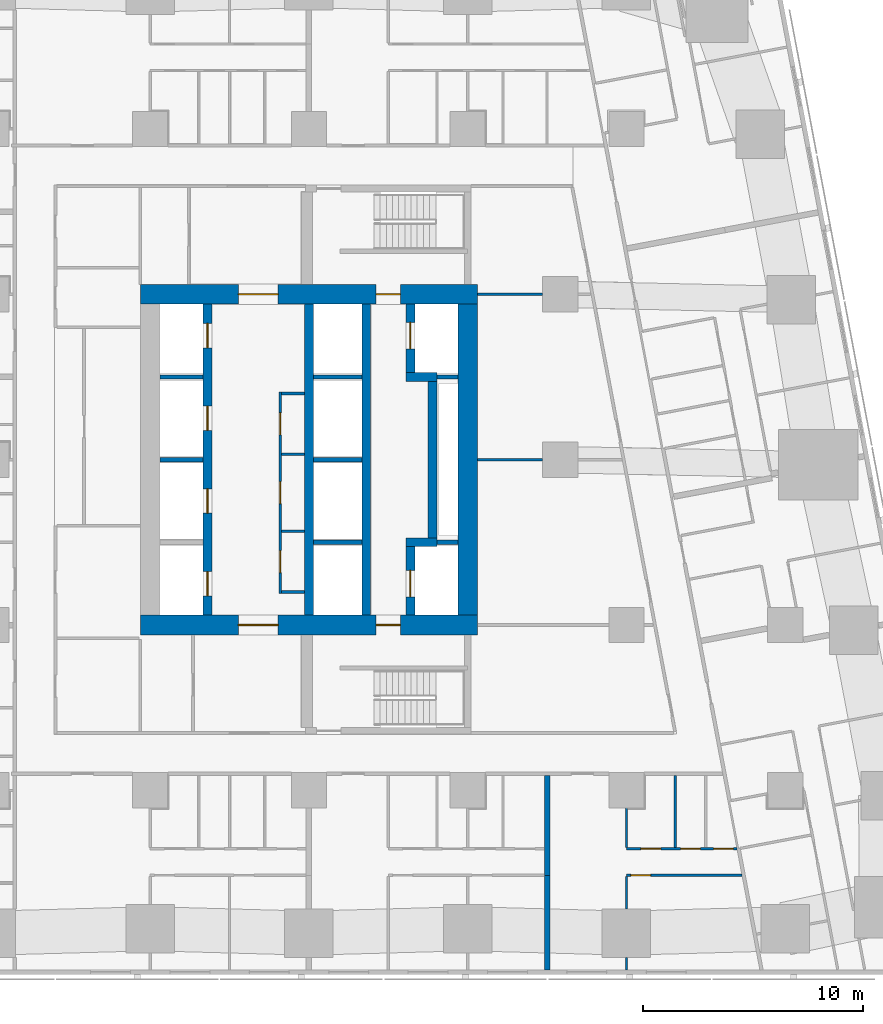
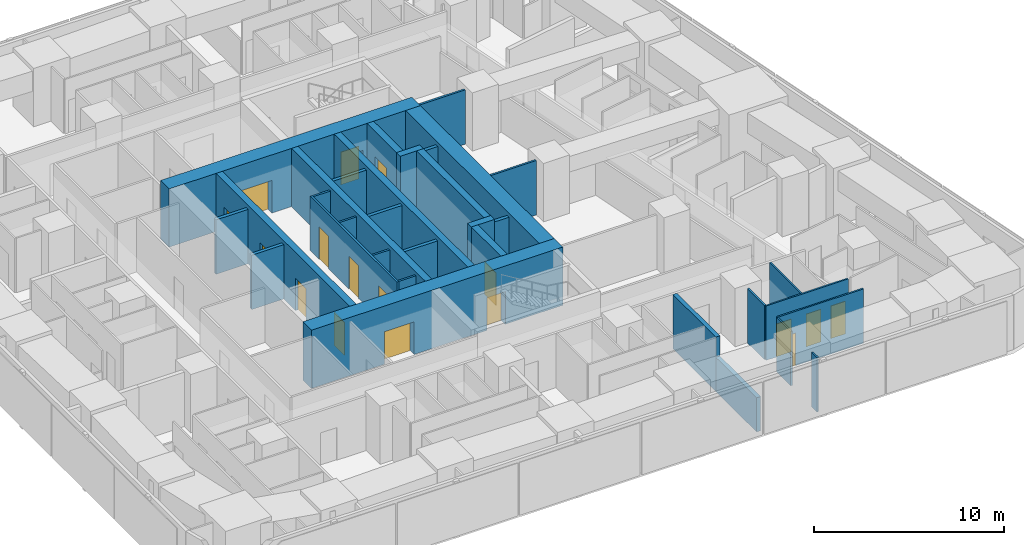
# One storey, part 5 of 15: 33 walls, 17 doors, 17 openings.
"""IFC4 building model written with IfcOpenShell, lengths in metres."""

from ifc_helpers import new_model, si_unit, direction, frame, frame_2d, origin, place, context, subcontext, project, spatial, rectangle, extrude, material, layer, layer_set, type_object, element, fill, save


model = new_model("IFC4")

# Units and contexts
model_context = context("Model", 3, precision=1e-05, world=origin(), true_north=direction((0.0, 1.0)))
body_context = subcontext(model_context, "Body", "Model", "MODEL_VIEW")
ifc_project = project(units=[si_unit("LENGTHUNIT", "METRE"), si_unit("AREAUNIT", "SQUARE_METRE"), si_unit("VOLUMEUNIT", "CUBIC_METRE"), si_unit("PLANEANGLEUNIT", "RADIAN"), si_unit("MASSUNIT", "GRAM", prefix="KILO")], contexts=[model_context])

# Site, building, storey
site_placement = place(None, origin())
site = spatial("IfcSite", under=ifc_project, at=site_placement, CompositionType="ELEMENT")
building_placement = place(site_placement, origin())
building = spatial("IfcBuilding", under=site, at=building_placement, Name="Sheger Commons Tower", CompositionType="ELEMENT")
storey_placement = place(building_placement, frame((0.0, 0.0, 104.14990234375)))
storey = spatial("IfcBuildingStorey", under=building, at=storey_placement, Name="L26", CompositionType="ELEMENT", Elevation=104.14990234375)

# Wall, openings, doors
ifc_material_1 = material(Name="Concrete C50/60", Category="concrete")
ifc_layer_1 = layer(ifc_material_1, 0.39990234375)
ifc_layer_set_1 = layer_set([ifc_layer_1], Name="CORE INNER WALL 400")
wall_type_1 = type_object("IfcWallType", Name="CORE INNER WALL 400", PredefinedType="SHEAR", material=ifc_layer_set_1)
wall_1_placement = place(storey_placement, frame((17.0, 15.449951171875, 0.0), z_axis=(0.0, 0.0, 1.0), x_axis=(0.0, 1.0, 0.0)))
wall_1 = element("IfcWall", 1, at=wall_1_placement, inside=storey, type_object=wall_type_1, Name="Core inner wall A L26", PredefinedType="SHEAR", context=body_context, shape_type="SweptSolid", body=[
    extrude(rectangle(XDim=14.10009765625, YDim=0.39990234375, at=frame_2d((7.050048828125, 0.0))), origin(), (0.0, 0.0, 1.0), 3.75),
])
opening_1_placement = place(wall_1_placement, frame((0.875, 0.0, 0.0)))
opening_1 = element("IfcOpeningElement", 2, at=opening_1_placement, cuts=wall_1, Name="Opening LD", PredefinedType="OPENING", context=body_context, shape_type="SweptSolid", body=[
    extrude(rectangle(XDim=1.10009765625, YDim=2.10009765625, at=frame_2d((0.550048828125, 1.050048828125))), frame((0.0, 0.2099609375, 0.0), z_axis=(0.0, -1.0, 0.0), x_axis=(1.0, 0.0, 0.0)), (0.0, 0.0, 1.0), 0.419921875),
])
opening_2_placement = place(wall_1_placement, frame((4.625, 0.0, 0.0)))
opening_2 = element("IfcOpeningElement", 3, at=opening_2_placement, cuts=wall_1, Name="Opening LD", PredefinedType="OPENING", context=body_context, shape_type="SweptSolid", body=[
    extrude(rectangle(XDim=1.10009765625, YDim=2.10009765625, at=frame_2d((0.550048828125, 1.050048828125))), frame((0.0, 0.2099609375, 0.0), z_axis=(0.0, -1.0, 0.0), x_axis=(1.0, 0.0, 0.0)), (0.0, 0.0, 1.0), 0.419921875),
])
opening_3_placement = place(wall_1_placement, frame((8.375, 0.0, 0.0)))
opening_3 = element("IfcOpeningElement", 4, at=opening_3_placement, cuts=wall_1, Name="Opening LD", PredefinedType="OPENING", context=body_context, shape_type="SweptSolid", body=[
    extrude(rectangle(XDim=1.10009765625, YDim=2.10009765625, at=frame_2d((0.550048828125, 1.050048828125))), frame((0.0, 0.2099609375, 0.0), z_axis=(0.0, -1.0, 0.0), x_axis=(1.0, 0.0, 0.0)), (0.0, 0.0, 1.0), 0.419921875),
])
opening_4_placement = place(wall_1_placement, frame((12.125, 0.0, 0.0)))
opening_4 = element("IfcOpeningElement", 5, at=opening_4_placement, cuts=wall_1, Name="Opening LD", PredefinedType="OPENING", context=body_context, shape_type="SweptSolid", body=[
    extrude(rectangle(XDim=1.10009765625, YDim=2.10009765625, at=frame_2d((0.550048828125, 1.050048828125))), frame((0.0, 0.2099609375, 0.0), z_axis=(0.0, -1.0, 0.0), x_axis=(1.0, 0.0, 0.0)), (0.0, 0.0, 1.0), 0.419921875),
])
ifc_material_2 = material(Name="Steel door set, fire rated", Category="steel")
door_type_1 = type_object("IfcDoorType", Name="LIFT LANDING DOOR 1100x2100", OperationType="DOUBLE_DOOR_SLIDING", PredefinedType="DOOR", material=ifc_material_2)
door_1_placement = place(opening_1_placement, origin())
door_1 = element("IfcDoor", 6, at=door_1_placement, inside=storey, type_object=door_type_1, Name="Lift LA1 landing door", OperationType="DOUBLE_DOOR_SLIDING", OverallHeight=2.10009765625, OverallWidth=1.10009765625, PredefinedType="DOOR", context=body_context, shape_type="SweptSolid", body=[
    extrude(rectangle(XDim=1.10009765625, YDim=2.10009765625, at=frame_2d((0.550048828125, 1.050048828125))), frame((0.0, 0.02490234375, 0.0), z_axis=(0.0, -1.0, 0.0), x_axis=(1.0, 0.0, 0.0)), (0.0, 0.0, 1.0), 0.050048828125),
])
fill(opening_1, door_1)
door_2_placement = place(opening_2_placement, origin())
door_2 = element("IfcDoor", 7, at=door_2_placement, inside=storey, type_object=door_type_1, Name="Lift LA2 landing door", OperationType="DOUBLE_DOOR_SLIDING", OverallHeight=2.10009765625, OverallWidth=1.10009765625, PredefinedType="DOOR", context=body_context, shape_type="SweptSolid", body=[
    extrude(rectangle(XDim=1.10009765625, YDim=2.10009765625, at=frame_2d((0.550048828125, 1.050048828125))), frame((0.0, 0.02490234375, 0.0), z_axis=(0.0, -1.0, 0.0), x_axis=(1.0, 0.0, 0.0)), (0.0, 0.0, 1.0), 0.050048828125),
])
fill(opening_2, door_2)
door_3_placement = place(opening_3_placement, origin())
door_3 = element("IfcDoor", 8, at=door_3_placement, inside=storey, type_object=door_type_1, Name="Lift LA3 landing door", OperationType="DOUBLE_DOOR_SLIDING", OverallHeight=2.10009765625, OverallWidth=1.10009765625, PredefinedType="DOOR", context=body_context, shape_type="SweptSolid", body=[
    extrude(rectangle(XDim=1.10009765625, YDim=2.10009765625, at=frame_2d((0.550048828125, 1.050048828125))), frame((0.0, 0.02490234375, 0.0), z_axis=(0.0, -1.0, 0.0), x_axis=(1.0, 0.0, 0.0)), (0.0, 0.0, 1.0), 0.050048828125),
])
fill(opening_3, door_3)
door_4_placement = place(opening_4_placement, origin())
door_4 = element("IfcDoor", 9, at=door_4_placement, inside=storey, type_object=door_type_1, Name="Lift LA4 landing door", OperationType="DOUBLE_DOOR_SLIDING", OverallHeight=2.10009765625, OverallWidth=1.10009765625, PredefinedType="DOOR", context=body_context, shape_type="SweptSolid", body=[
    extrude(rectangle(XDim=1.10009765625, YDim=2.10009765625, at=frame_2d((0.550048828125, 1.050048828125))), frame((0.0, 0.02490234375, 0.0), z_axis=(0.0, -1.0, 0.0), x_axis=(1.0, 0.0, 0.0)), (0.0, 0.0, 1.0), 0.050048828125),
])
fill(opening_4, door_4)

# Walls
for number, where, z_axis, x_axis, name in (
    (10, (21.60009765625, 15.449951171875, 0.0), (0.0, 0.0, 1.0), (0.0, 1.0, 0.0), "Core inner wall L L26"),
    (11, (24.199951171875, 15.449951171875, 0.0), (0.0, 0.0, 1.0), (0.0, 1.0, 0.0), "Core inner wall B L26"),
):
    element("IfcWall", number, at=place(storey_placement, frame(where, z_axis=z_axis, x_axis=x_axis)), inside=storey, type_object=wall_type_1, Name=name, PredefinedType="SHEAR", context=body_context, shape_type="SweptSolid", body=[
        extrude(rectangle(XDim=14.10009765625, YDim=0.39990234375, at=frame_2d((7.050048828125, 0.0))), origin(), (0.0, 0.0, 1.0), 3.75),
    ])

# Wall, opening, door
wall_2_placement = place(storey_placement, frame((26.199951171875, 15.449951171875, 0.0), z_axis=(0.0, 0.0, 1.0), x_axis=(0.0, 1.0, 0.0)))
wall_2 = element("IfcWall", 12, at=wall_2_placement, inside=storey, type_object=wall_type_1, Name="Core inner wall F L26", PredefinedType="SHEAR", context=body_context, shape_type="SweptSolid", body=[
    extrude(rectangle(XDim=3.10009765625, YDim=0.39990234375, at=frame_2d((1.550048828125, 0.0))), origin(), (0.0, 0.0, 1.0), 3.75),
])
opening_5_placement = place(wall_2_placement, frame((0.824951171875, 0.0, 0.0)))
opening_5 = element("IfcOpeningElement", 13, at=opening_5_placement, cuts=wall_2, Name="Opening LD2", PredefinedType="OPENING", context=body_context, shape_type="SweptSolid", body=[
    extrude(rectangle(XDim=1.199951171875, YDim=2.10009765625, at=frame_2d((0.60009765625, 1.050048828125))), frame((0.0, 0.2099609375, 0.0), z_axis=(0.0, -1.0, 0.0), x_axis=(1.0, 0.0, 0.0)), (0.0, 0.0, 1.0), 0.419921875),
])
ifc_material_3 = material(Name="Steel door set, fire rated", Category="steel")
door_type_2 = type_object("IfcDoorType", Name="FIREFIGHTING LIFT LANDING DOOR 1200x2100", OperationType="DOUBLE_DOOR_SLIDING", PredefinedType="DOOR", material=ifc_material_3)
door_5_placement = place(opening_5_placement, origin())
door_5 = element("IfcDoor", 14, at=door_5_placement, inside=storey, type_object=door_type_2, Name="Lift FL1 landing door", OperationType="DOUBLE_DOOR_SLIDING", OverallHeight=2.10009765625, OverallWidth=1.199951171875, PredefinedType="DOOR", context=body_context, shape_type="SweptSolid", body=[
    extrude(rectangle(XDim=1.199951171875, YDim=2.10009765625, at=frame_2d((0.60009765625, 1.050048828125))), frame((0.0, 0.02490234375, 0.0), z_axis=(0.0, -1.0, 0.0), x_axis=(1.0, 0.0, 0.0)), (0.0, 0.0, 1.0), 0.050048828125),
])
fill(opening_5, door_5)

# Walls
wall_3_placement = place(storey_placement, frame((26.0, 18.75, 0.0), z_axis=(0.0, 0.0, 1.0), x_axis=(1.0, 0.0, 0.0)))
element("IfcWall", 15, at=wall_3_placement, inside=storey, type_object=wall_type_1, Name="Core inner wall F south return L26", PredefinedType="SHEAR", context=body_context, shape_type="SweptSolid", body=[
    extrude(rectangle(XDim=1.39990234375, YDim=0.39990234375, at=frame_2d((0.699951171875, 0.0))), origin(), (0.0, 0.0, 1.0), 3.75),
])
wall_4_placement = place(storey_placement, frame((27.199951171875, 18.949951171875, 0.0), z_axis=(0.0, 0.0, 1.0), x_axis=(0.0, 1.0, 0.0)))
element("IfcWall", 16, at=wall_4_placement, inside=storey, type_object=wall_type_1, Name="Core inner wall F middle L26", PredefinedType="SHEAR", context=body_context, shape_type="SweptSolid", body=[
    extrude(rectangle(XDim=7.10009765625, YDim=0.39990234375, at=frame_2d((3.550048828125, 0.0))), origin(), (0.0, 0.0, 1.0), 3.75),
])
wall_5_placement = place(storey_placement, frame((26.0, 26.25, 0.0), z_axis=(0.0, 0.0, 1.0), x_axis=(1.0, 0.0, 0.0)))
element("IfcWall", 17, at=wall_5_placement, inside=storey, type_object=wall_type_1, Name="Core inner wall F north return L26", PredefinedType="SHEAR", context=body_context, shape_type="SweptSolid", body=[
    extrude(rectangle(XDim=1.39990234375, YDim=0.39990234375, at=frame_2d((0.699951171875, 0.0))), origin(), (0.0, 0.0, 1.0), 3.75),
])

# Wall, opening, door
wall_6_placement = place(storey_placement, frame((26.199951171875, 26.449951171875, 0.0), z_axis=(0.0, 0.0, 1.0), x_axis=(0.0, 1.0, 0.0)))
wall_6 = element("IfcWall", 18, at=wall_6_placement, inside=storey, type_object=wall_type_1, Name="Core inner wall F north L26", PredefinedType="SHEAR", context=body_context, shape_type="SweptSolid", body=[
    extrude(rectangle(XDim=3.10009765625, YDim=0.39990234375, at=frame_2d((1.550048828125, 0.0))), origin(), (0.0, 0.0, 1.0), 3.75),
])
opening_6_placement = place(wall_6_placement, frame((1.074951171875, 0.0, 0.0)))
opening_6 = element("IfcOpeningElement", 19, at=opening_6_placement, cuts=wall_6, Name="Opening LD2", PredefinedType="OPENING", context=body_context, shape_type="SweptSolid", body=[
    extrude(rectangle(XDim=1.199951171875, YDim=2.10009765625, at=frame_2d((0.60009765625, 1.050048828125))), frame((0.0, 0.2099609375, 0.0), z_axis=(0.0, -1.0, 0.0), x_axis=(1.0, 0.0, 0.0)), (0.0, 0.0, 1.0), 0.419921875),
])
door_6_placement = place(opening_6_placement, origin())
door_6 = element("IfcDoor", 20, at=door_6_placement, inside=storey, type_object=door_type_2, Name="Lift FL2 landing door", OperationType="DOUBLE_DOOR_SLIDING", OverallHeight=2.10009765625, OverallWidth=1.199951171875, PredefinedType="DOOR", context=body_context, shape_type="SweptSolid", body=[
    extrude(rectangle(XDim=1.199951171875, YDim=2.10009765625, at=frame_2d((0.60009765625, 1.050048828125))), frame((0.0, 0.02490234375, 0.0), z_axis=(0.0, -1.0, 0.0), x_axis=(1.0, 0.0, 0.0)), (0.0, 0.0, 1.0), 0.050048828125),
])
fill(opening_6, door_6)

# Wall, openings, doors
ifc_material_4 = material(Name="Concrete C50/60", Category="concrete")
ifc_layer_2 = layer(ifc_material_4, 0.89990234375)
ifc_layer_set_2 = layer_set([ifc_layer_2], Name="CORE WALL 900")
wall_type_2 = type_object("IfcWallType", Name="CORE WALL 900", PredefinedType="SHEAR", material=ifc_layer_set_2)
wall_7_placement = place(storey_placement, frame((13.949951171875, 15.0, 0.0), z_axis=(0.0, 0.0, 1.0), x_axis=(1.0, 0.0, 0.0)))
wall_7 = element("IfcWall", 21, at=wall_7_placement, inside=storey, type_object=wall_type_2, Name="Core wall south L26", PredefinedType="SHEAR", context=body_context, shape_type="SweptSolid", body=[
    extrude(rectangle(XDim=15.300048828125, YDim=0.89990234375, at=frame_2d((7.64990234375, 0.0))), origin(), (0.0, 0.0, 1.0), 3.75),
])
opening_7_placement = place(wall_7_placement, frame((4.449951171875, 0.0, 0.0)))
opening_7 = element("IfcOpeningElement", 22, at=opening_7_placement, cuts=wall_7, Name="Opening D6", PredefinedType="OPENING", context=body_context, shape_type="SweptSolid", body=[
    extrude(rectangle(XDim=1.800048828125, YDim=2.10009765625, at=frame_2d((0.89990234375, 1.050048828125))), frame((0.0, 0.4599609375, 0.0), z_axis=(0.0, -1.0, 0.0), x_axis=(1.0, 0.0, 0.0)), (0.0, 0.0, 1.0), 0.919921875),
])
opening_8_placement = place(wall_7_placement, frame((10.699951171875, 0.0, 0.0)))
opening_8 = element("IfcOpeningElement", 23, at=opening_8_placement, cuts=wall_7, Name="Opening D5", PredefinedType="OPENING", context=body_context, shape_type="SweptSolid", body=[
    extrude(rectangle(XDim=1.10009765625, YDim=2.10009765625, at=frame_2d((0.550048828125, 1.050048828125))), frame((0.0, 0.4599609375, 0.0), z_axis=(0.0, -1.0, 0.0), x_axis=(1.0, 0.0, 0.0)), (0.0, 0.0, 1.0), 0.919921875),
])
ifc_material_5 = material(Name="Steel door set, fire rated", Category="steel")
door_type_3 = type_object("IfcDoorType", Name="LOBBY DOUBLE DOOR 1800x2100", OperationType="DOUBLE_DOOR_SINGLE_SWING", PredefinedType="DOOR", material=ifc_material_5)
door_7_placement = place(opening_7_placement, origin())
door_7 = element("IfcDoor", 24, at=door_7_placement, inside=storey, type_object=door_type_3, Name="Lift lobby door", OperationType="DOUBLE_DOOR_SINGLE_SWING", OverallHeight=2.10009765625, OverallWidth=1.800048828125, PredefinedType="DOOR", context=body_context, shape_type="SweptSolid", body=[
    extrude(rectangle(XDim=1.800048828125, YDim=2.10009765625, at=frame_2d((0.89990234375, 1.050048828125))), frame((0.0, 0.02490234375, 0.0), z_axis=(0.0, -1.0, 0.0), x_axis=(1.0, 0.0, 0.0)), (0.0, 0.0, 1.0), 0.050048828125),
])
fill(opening_7, door_7)
ifc_material_6 = material(Name="Steel door set, fire rated", Category="steel")
door_type_4 = type_object("IfcDoorType", Name="STAIR DOOR 1100x2100", OperationType="NOTDEFINED", PredefinedType="DOOR", material=ifc_material_6)
door_8_placement = place(opening_8_placement, origin())
door_8 = element("IfcDoor", 25, at=door_8_placement, inside=storey, type_object=door_type_4, Name="Fire-fighting lobby door", OperationType="SINGLE_SWING_LEFT", OverallHeight=2.10009765625, OverallWidth=1.10009765625, PredefinedType="DOOR", context=body_context, shape_type="SweptSolid", body=[
    extrude(rectangle(XDim=1.10009765625, YDim=2.10009765625, at=frame_2d((0.550048828125, 1.050048828125))), frame((0.0, 0.02490234375, 0.0), z_axis=(0.0, -1.0, 0.0), x_axis=(1.0, 0.0, 0.0)), (0.0, 0.0, 1.0), 0.050048828125),
])
fill(opening_8, door_8)

wall_8_placement = place(storey_placement, frame((13.949951171875, 30.0, 0.0), z_axis=(0.0, 0.0, 1.0), x_axis=(1.0, 0.0, 0.0)))
wall_8 = element("IfcWall", 26, at=wall_8_placement, inside=storey, type_object=wall_type_2, Name="Core wall north L26", PredefinedType="SHEAR", context=body_context, shape_type="SweptSolid", body=[
    extrude(rectangle(XDim=15.300048828125, YDim=0.89990234375, at=frame_2d((7.64990234375, 0.0))), origin(), (0.0, 0.0, 1.0), 3.75),
])
opening_9_placement = place(wall_8_placement, frame((4.449951171875, 0.0, 0.0)))
opening_9 = element("IfcOpeningElement", 27, at=opening_9_placement, cuts=wall_8, Name="Opening D6", PredefinedType="OPENING", context=body_context, shape_type="SweptSolid", body=[
    extrude(rectangle(XDim=1.800048828125, YDim=2.10009765625, at=frame_2d((0.89990234375, 1.050048828125))), frame((0.0, 0.4599609375, 0.0), z_axis=(0.0, -1.0, 0.0), x_axis=(1.0, 0.0, 0.0)), (0.0, 0.0, 1.0), 0.919921875),
])
opening_10_placement = place(wall_8_placement, frame((10.699951171875, 0.0, 0.0)))
opening_10 = element("IfcOpeningElement", 28, at=opening_10_placement, cuts=wall_8, Name="Opening D5", PredefinedType="OPENING", context=body_context, shape_type="SweptSolid", body=[
    extrude(rectangle(XDim=1.10009765625, YDim=2.10009765625, at=frame_2d((0.550048828125, 1.050048828125))), frame((0.0, 0.4599609375, 0.0), z_axis=(0.0, -1.0, 0.0), x_axis=(1.0, 0.0, 0.0)), (0.0, 0.0, 1.0), 0.919921875),
])
door_9_placement = place(opening_9_placement, origin())
door_9 = element("IfcDoor", 29, at=door_9_placement, inside=storey, type_object=door_type_3, Name="Lift lobby door", OperationType="DOUBLE_DOOR_SINGLE_SWING", OverallHeight=2.10009765625, OverallWidth=1.800048828125, PredefinedType="DOOR", context=body_context, shape_type="SweptSolid", body=[
    extrude(rectangle(XDim=1.800048828125, YDim=2.10009765625, at=frame_2d((0.89990234375, 1.050048828125))), frame((0.0, 0.02490234375, 0.0), z_axis=(0.0, -1.0, 0.0), x_axis=(1.0, 0.0, 0.0)), (0.0, 0.0, 1.0), 0.050048828125),
])
fill(opening_9, door_9)
door_10_placement = place(opening_10_placement, origin())
door_10 = element("IfcDoor", 30, at=door_10_placement, inside=storey, type_object=door_type_4, Name="Fire-fighting lobby door", OperationType="SINGLE_SWING_LEFT", OverallHeight=2.10009765625, OverallWidth=1.10009765625, PredefinedType="DOOR", context=body_context, shape_type="SweptSolid", body=[
    extrude(rectangle(XDim=1.10009765625, YDim=2.10009765625, at=frame_2d((0.550048828125, 1.050048828125))), frame((0.0, 0.02490234375, 0.0), z_axis=(0.0, -1.0, 0.0), x_axis=(1.0, 0.0, 0.0)), (0.0, 0.0, 1.0), 0.050048828125),
])
fill(opening_10, door_10)

# Walls
wall_9_placement = place(storey_placement, frame((28.800048828125, 15.449951171875, 0.0), z_axis=(0.0, 0.0, 1.0), x_axis=(0.0, 1.0, 0.0)))
element("IfcWall", 31, at=wall_9_placement, inside=storey, type_object=wall_type_2, Name="Core wall east L26", PredefinedType="SHEAR", context=body_context, shape_type="SweptSolid", body=[
    extrude(rectangle(XDim=14.10009765625, YDim=0.89990234375, at=frame_2d((7.050048828125, 0.0))), origin(), (0.0, 0.0, 1.0), 3.75),
])
ifc_material_7 = material(Name="Dense concrete block masonry, plastered both sides (separating wall between flats)", Category="masonry")
ifc_layer_3 = layer(ifc_material_7, 0.25)
ifc_layer_set_3 = layer_set([ifc_layer_3], Name="DEMISING WALL 250")
wall_type_3 = type_object("IfcWallType", Name="DEMISING WALL 250", PredefinedType="SOLIDWALL", material=ifc_layer_set_3)
wall_10_placement = place(storey_placement, frame((32.39990234375, -0.64990234375, 0.0), z_axis=(0.0, 0.0, 1.0), x_axis=(0.0, 1.0, 0.0)))
element("IfcWall", 32, at=wall_10_placement, inside=storey, type_object=wall_type_3, Name="Demising wall L26", PredefinedType="SOLIDWALL", context=body_context, shape_type="SweptSolid", body=[
    extrude(rectangle(XDim=4.2998046875, YDim=0.25, at=frame_2d((2.14990234375, 0.0))), origin(), (0.0, 0.0, 1.0), 2.2001953125),
])
wall_11_placement = place(storey_placement, frame((32.39990234375, 3.64990234375, 0.0), z_axis=(0.0, 0.0, 1.0), x_axis=(0.0, 1.0, 0.0)))
element("IfcWall", 33, at=wall_11_placement, inside=storey, type_object=wall_type_3, Name="Demising wall L26", PredefinedType="SOLIDWALL", context=body_context, shape_type="SweptSolid", body=[
    extrude(rectangle(XDim=4.525146484375, YDim=0.25, at=frame_2d((2.2626953125, 0.0))), origin(), (0.0, 0.0, 1.0), 3.5),
])

# Wall, opening, door
ifc_material_8 = material(Name="Gypsum board on steel studs", Category="steel")
ifc_layer_4 = layer(ifc_material_8, 0.10009765625)
ifc_layer_set_4 = layer_set([ifc_layer_4], Name="PARTITION 100")
wall_type_4 = type_object("IfcWallType", Name="PARTITION 100", PredefinedType="PARTITIONING", material=ifc_layer_set_4)
wall_12_placement = place(storey_placement, frame((41.22900390625, 3.64990234375, 0.0), z_axis=(0.0, 0.0, 1.0), x_axis=(-1.0, 0.0, 0.0)))
wall_12 = element("IfcWall", 34, at=wall_12_placement, inside=storey, type_object=wall_type_4, Name="Partition L26", PredefinedType="PARTITIONING", context=body_context, shape_type="SweptSolid", body=[
    extrude(rectangle(XDim=5.22900390625, YDim=0.10009765625, at=frame_2d((2.614501953125, 0.0))), origin(), (0.0, 0.0, 1.0), 3.5),
])
opening_11_placement = place(wall_12_placement, frame((4.12890625, 0.0, 0.0)))
opening_11 = element("IfcOpeningElement", 35, at=opening_11_placement, cuts=wall_12, Name="Opening D2", PredefinedType="OPENING", context=body_context, shape_type="SweptSolid", body=[
    extrude(rectangle(XDim=0.89990234375, YDim=2.10009765625, at=frame_2d((0.449951171875, 1.050048828125))), frame((0.0, 0.06005859375, 0.0), z_axis=(0.0, -1.0, 0.0), x_axis=(1.0, 0.0, 0.0)), (0.0, 0.0, 1.0), 0.1201171875),
])
ifc_material_9 = material(Name="Timber door set", Category="wood")
door_type_5 = type_object("IfcDoorType", Name="INTERNAL DOOR 900x2100", OperationType="NOTDEFINED", PredefinedType="DOOR", material=ifc_material_9)
door_11_placement = place(opening_11_placement, origin())
door_11 = element("IfcDoor", 36, at=door_11_placement, inside=storey, type_object=door_type_5, Name="Main bedroom door", OperationType="SINGLE_SWING_LEFT", OverallHeight=2.10009765625, OverallWidth=0.89990234375, PredefinedType="DOOR", context=body_context, shape_type="SweptSolid", body=[
    extrude(rectangle(XDim=0.89990234375, YDim=2.10009765625, at=frame_2d((0.449951171875, 1.050048828125))), frame((0.0, 0.02490234375, 0.0), z_axis=(0.0, -1.0, 0.0), x_axis=(1.0, 0.0, 0.0)), (0.0, 0.0, 1.0), 0.050048828125),
])
fill(opening_11, door_11)

# Wall, openings, doors
wall_13_placement = place(storey_placement, frame((41.001953125, 4.85009765625, 0.0), z_axis=(0.0, 0.0, 1.0), x_axis=(-1.0, 0.0, 0.0)))
wall_13 = element("IfcWall", 37, at=wall_13_placement, inside=storey, type_object=wall_type_4, Name="Partition L26", PredefinedType="PARTITIONING", context=body_context, shape_type="SweptSolid", body=[
    extrude(rectangle(XDim=5.001953125, YDim=0.10009765625, at=frame_2d((2.5009765625, 0.0))), origin(), (0.0, 0.0, 1.0), 3.5),
])
opening_12_placement = place(wall_13_placement, frame((3.447021484375, 0.0, 0.0)))
opening_12 = element("IfcOpeningElement", 38, at=opening_12_placement, cuts=wall_13, Name="Opening D2", PredefinedType="OPENING", context=body_context, shape_type="SweptSolid", body=[
    extrude(rectangle(XDim=0.89990234375, YDim=2.10009765625, at=frame_2d((0.449951171875, 1.050048828125))), frame((0.0, 0.06005859375, 0.0), z_axis=(0.0, -1.0, 0.0), x_axis=(1.0, 0.0, 0.0)), (0.0, 0.0, 1.0), 0.1201171875),
])
opening_13_placement = place(wall_13_placement, frame((0.14990234375, 0.0, 0.0)))
opening_13 = element("IfcOpeningElement", 39, at=opening_13_placement, cuts=wall_13, Name="Opening D2", PredefinedType="OPENING", context=body_context, shape_type="SweptSolid", body=[
    extrude(rectangle(XDim=0.89990234375, YDim=2.10009765625, at=frame_2d((0.449951171875, 1.050048828125))), frame((0.0, 0.06005859375, 0.0), z_axis=(0.0, -1.0, 0.0), x_axis=(1.0, 0.0, 0.0)), (0.0, 0.0, 1.0), 0.1201171875),
])
opening_14_placement = place(wall_13_placement, frame((1.64697265625, 0.0, 0.0)))
opening_14 = element("IfcOpeningElement", 40, at=opening_14_placement, cuts=wall_13, Name="Opening D2", PredefinedType="OPENING", context=body_context, shape_type="SweptSolid", body=[
    extrude(rectangle(XDim=0.89990234375, YDim=2.10009765625, at=frame_2d((0.449951171875, 1.050048828125))), frame((0.0, 0.06005859375, 0.0), z_axis=(0.0, -1.0, 0.0), x_axis=(1.0, 0.0, 0.0)), (0.0, 0.0, 1.0), 0.1201171875),
])
door_12_placement = place(opening_12_placement, origin())
door_12 = element("IfcDoor", 41, at=door_12_placement, inside=storey, type_object=door_type_5, Name="Bathroom door", OperationType="SINGLE_SWING_LEFT", OverallHeight=2.10009765625, OverallWidth=0.89990234375, PredefinedType="DOOR", context=body_context, shape_type="SweptSolid", body=[
    extrude(rectangle(XDim=0.89990234375, YDim=2.10009765625, at=frame_2d((0.449951171875, 1.050048828125))), frame((0.0, 0.02490234375, 0.0), z_axis=(0.0, -1.0, 0.0), x_axis=(1.0, 0.0, 0.0)), (0.0, 0.0, 1.0), 0.050048828125),
])
fill(opening_12, door_12)
door_13_placement = place(opening_13_placement, origin())
door_13 = element("IfcDoor", 42, at=door_13_placement, inside=storey, type_object=door_type_5, Name="Laundry room door", OperationType="SINGLE_SWING_RIGHT", OverallHeight=2.10009765625, OverallWidth=0.89990234375, PredefinedType="DOOR", context=body_context, shape_type="SweptSolid", body=[
    extrude(rectangle(XDim=0.89990234375, YDim=2.10009765625, at=frame_2d((0.449951171875, 1.050048828125))), frame((0.0, 0.02490234375, 0.0), z_axis=(0.0, -1.0, 0.0), x_axis=(1.0, 0.0, 0.0)), (0.0, 0.0, 1.0), 0.050048828125),
])
fill(opening_13, door_13)
door_14_placement = place(opening_14_placement, origin())
door_14 = element("IfcDoor", 43, at=door_14_placement, inside=storey, type_object=door_type_5, Name="Store door", OperationType="SINGLE_SWING_RIGHT", OverallHeight=2.10009765625, OverallWidth=0.89990234375, PredefinedType="DOOR", context=body_context, shape_type="SweptSolid", body=[
    extrude(rectangle(XDim=0.89990234375, YDim=2.10009765625, at=frame_2d((0.449951171875, 1.050048828125))), frame((0.0, 0.02490234375, 0.0), z_axis=(0.0, -1.0, 0.0), x_axis=(1.0, 0.0, 0.0)), (0.0, 0.0, 1.0), 0.050048828125),
])
fill(opening_14, door_14)

# Walls
wall_14_placement = place(storey_placement, frame((36.0, -0.64990234375, 0.0), z_axis=(0.0, 0.0, 1.0), x_axis=(0.0, 1.0, 0.0)))
element("IfcWall", 44, at=wall_14_placement, inside=storey, type_object=wall_type_4, Name="Partition L26", PredefinedType="PARTITIONING", context=body_context, shape_type="SweptSolid", body=[
    extrude(rectangle(XDim=0.573974609375, YDim=0.10009765625, at=frame_2d((0.287109375, 0.0))), origin(), (0.0, 0.0, 1.0), 3.5),
])
wall_15_placement = place(storey_placement, frame((36.0, 2.1259765625, 0.0), z_axis=(0.0, 0.0, 1.0), x_axis=(0.0, 1.0, 0.0)))
element("IfcWall", 45, at=wall_15_placement, inside=storey, type_object=wall_type_4, Name="Partition L26", PredefinedType="PARTITIONING", context=body_context, shape_type="SweptSolid", body=[
    extrude(rectangle(XDim=1.47412109375, YDim=0.10009765625, at=frame_2d((0.737060546875, 0.0))), origin(), (0.0, 0.0, 1.0), 3.5),
])
wall_16_placement = place(storey_placement, frame((36.0, 4.89990234375, 0.0), z_axis=(0.0, 0.0, 1.0), x_axis=(0.0, 1.0, 0.0)))
element("IfcWall", 46, at=wall_16_placement, inside=storey, type_object=wall_type_4, Name="Partition L26", PredefinedType="PARTITIONING", context=body_context, shape_type="SweptSolid", body=[
    extrude(rectangle(XDim=1.799072265625, YDim=0.10009765625, at=frame_2d((0.8994140625, 0.0))), origin(), (0.0, 0.0, 1.0), 3.5),
])
wall_17_placement = place(storey_placement, frame((38.2099609375, 4.89990234375, 0.0), z_axis=(0.0, 0.0, 1.0), x_axis=(0.0, 1.0, 0.0)))
element("IfcWall", 47, at=wall_17_placement, inside=storey, type_object=wall_type_4, Name="Partition L26", PredefinedType="PARTITIONING", context=body_context, shape_type="SweptSolid", body=[
    extrude(rectangle(XDim=3.275146484375, YDim=0.10009765625, at=frame_2d((1.6376953125, 0.0))), origin(), (0.0, 0.0, 1.0), 3.5),
])
ifc_material_10 = material(Name="Gypsum board on steel studs, two layers each side, fire rated", Category="steel")
ifc_layer_5 = layer(ifc_material_10, 0.125)
ifc_layer_set_5 = layer_set([ifc_layer_5], Name="SERVICE WALL 125")
wall_type_5 = type_object("IfcWallType", Name="SERVICE WALL 125", PredefinedType="PARTITIONING", material=ifc_layer_set_5)
for number, where, z_axis, x_axis, name in (
    (48, (29.25, 22.5, 0.0), (0.0, 0.0, 1.0), (1.0, 0.0, 0.0), "Service room wall L26"),
    (49, (29.25, 30.0, 0.0), (0.0, 0.0, 1.0), (1.0, 0.0, 0.0), "Service room wall L26"),
):
    element("IfcWall", number, at=place(storey_placement, frame(where, z_axis=z_axis, x_axis=x_axis)), inside=storey, type_object=wall_type_5, Name=name, PredefinedType="PARTITIONING", context=body_context, shape_type="SweptSolid", body=[
        extrude(rectangle(XDim=2.948974609375, YDim=0.125, at=frame_2d((1.474609375, 0.0))), origin(), (0.0, 0.0, 1.0), 3.5),
    ])

# Wall, openings, doors
wall_18_placement = place(storey_placement, frame((20.300048828125, 16.43798828125, 0.0), z_axis=(0.0, 0.0, 1.0), x_axis=(0.0, 1.0, 0.0)))
wall_18 = element("IfcWall", 50, at=wall_18_placement, inside=storey, type_object=wall_type_5, Name="Service room wall L26", PredefinedType="PARTITIONING", context=body_context, shape_type="SweptSolid", body=[
    extrude(rectangle(XDim=9.1240234375, YDim=0.125, at=frame_2d((4.56201171875, 0.0))), origin(), (0.0, 0.0, 1.0), 3.5),
])
opening_15_placement = place(wall_18_placement, frame((0.93701171875, 0.0, 0.0)))
opening_15 = element("IfcOpeningElement", 51, at=opening_15_placement, cuts=wall_18, Name="Opening D4", PredefinedType="OPENING", context=body_context, shape_type="SweptSolid", body=[
    extrude(rectangle(XDim=1.0, YDim=2.10009765625, at=frame_2d((0.5, 1.050048828125))), frame((0.0, 0.072509765625, 0.0), z_axis=(0.0, -1.0, 0.0), x_axis=(1.0, 0.0, 0.0)), (0.0, 0.0, 1.0), 0.14501953125),
])
opening_16_placement = place(wall_18_placement, frame((4.06201171875, 0.0, 0.0)))
opening_16 = element("IfcOpeningElement", 52, at=opening_16_placement, cuts=wall_18, Name="Opening D4", PredefinedType="OPENING", context=body_context, shape_type="SweptSolid", body=[
    extrude(rectangle(XDim=1.0, YDim=2.10009765625, at=frame_2d((0.5, 1.050048828125))), frame((0.0, 0.072509765625, 0.0), z_axis=(0.0, -1.0, 0.0), x_axis=(1.0, 0.0, 0.0)), (0.0, 0.0, 1.0), 0.14501953125),
])
opening_17_placement = place(wall_18_placement, frame((7.18701171875, 0.0, 0.0)))
opening_17 = element("IfcOpeningElement", 53, at=opening_17_placement, cuts=wall_18, Name="Opening D4", PredefinedType="OPENING", context=body_context, shape_type="SweptSolid", body=[
    extrude(rectangle(XDim=1.0, YDim=2.10009765625, at=frame_2d((0.5, 1.050048828125))), frame((0.0, 0.072509765625, 0.0), z_axis=(0.0, -1.0, 0.0), x_axis=(1.0, 0.0, 0.0)), (0.0, 0.0, 1.0), 0.14501953125),
])
ifc_material_11 = material(Name="Steel door set, fire rated", Category="steel")
door_type_6 = type_object("IfcDoorType", Name="SERVICE DOOR 1000x2100", OperationType="NOTDEFINED", PredefinedType="DOOR", material=ifc_material_11)
door_15_placement = place(opening_15_placement, origin())
door_15 = element("IfcDoor", 54, at=door_15_placement, inside=storey, type_object=door_type_6, Name="Electrical cupboard door", OperationType="SINGLE_SWING_RIGHT", OverallHeight=2.10009765625, OverallWidth=1.0, PredefinedType="DOOR", context=body_context, shape_type="SweptSolid", body=[
    extrude(rectangle(XDim=1.0, YDim=2.10009765625, at=frame_2d((0.5, 1.050048828125))), frame((0.0, 0.02490234375, 0.0), z_axis=(0.0, -1.0, 0.0), x_axis=(1.0, 0.0, 0.0)), (0.0, 0.0, 1.0), 0.050048828125),
])
fill(opening_15, door_15)
door_16_placement = place(opening_16_placement, origin())
door_16 = element("IfcDoor", 55, at=door_16_placement, inside=storey, type_object=door_type_6, Name="Cleaner's cupboard door", OperationType="SINGLE_SWING_LEFT", OverallHeight=2.10009765625, OverallWidth=1.0, PredefinedType="DOOR", context=body_context, shape_type="SweptSolid", body=[
    extrude(rectangle(XDim=1.0, YDim=2.10009765625, at=frame_2d((0.5, 1.050048828125))), frame((0.0, 0.02490234375, 0.0), z_axis=(0.0, -1.0, 0.0), x_axis=(1.0, 0.0, 0.0)), (0.0, 0.0, 1.0), 0.050048828125),
])
fill(opening_16, door_16)
door_17_placement = place(opening_17_placement, origin())
door_17 = element("IfcDoor", 56, at=door_17_placement, inside=storey, type_object=door_type_6, Name="Communications cupboard door", OperationType="SINGLE_SWING_LEFT", OverallHeight=2.10009765625, OverallWidth=1.0, PredefinedType="DOOR", context=body_context, shape_type="SweptSolid", body=[
    extrude(rectangle(XDim=1.0, YDim=2.10009765625, at=frame_2d((0.5, 1.050048828125))), frame((0.0, 0.02490234375, 0.0), z_axis=(0.0, -1.0, 0.0), x_axis=(1.0, 0.0, 0.0)), (0.0, 0.0, 1.0), 0.050048828125),
])
fill(opening_17, door_17)

# Walls
for number, where, z_axis, x_axis, name in (
    (57, (20.363037109375, 16.5, 0.0), (0.0, 0.0, 1.0), (1.0, 0.0, 0.0), "Service room wall L26"),
    (58, (20.363037109375, 25.5, 0.0), (0.0, 0.0, 1.0), (1.0, 0.0, 0.0), "Service room wall L26"),
    (59, (20.363037109375, 19.25, 0.0), (0.0, 0.0, 1.0), (1.0, 0.0, 0.0), "Service room wall L26"),
    (60, (20.363037109375, 22.75, 0.0), (0.0, 0.0, 1.0), (1.0, 0.0, 0.0), "Service room wall L26"),
):
    element("IfcWall", number, at=place(storey_placement, frame(where, z_axis=z_axis, x_axis=x_axis)), inside=storey, type_object=wall_type_5, Name=name, PredefinedType="PARTITIONING", context=body_context, shape_type="SweptSolid", body=[
        extrude(rectangle(XDim=1.036865234375, YDim=0.125, at=frame_2d((0.5185546875, 0.0))), origin(), (0.0, 0.0, 1.0), 3.5),
    ])
ifc_material_12 = material(Name="Hollow concrete block masonry", Category="masonry")
ifc_layer_6 = layer(ifc_material_12, 0.199951171875)
ifc_layer_set_6 = layer_set([ifc_layer_6], Name="SHAFT WALL 200")
wall_type_6 = type_object("IfcWallType", Name="SHAFT WALL 200", PredefinedType="SOLIDWALL", material=ifc_layer_set_6)
wall_19_placement = place(storey_placement, frame((21.800048828125, 18.75, 0.0), z_axis=(0.0, 0.0, 1.0), x_axis=(1.0, 0.0, 0.0)))
element("IfcWall", 61, at=wall_19_placement, inside=storey, type_object=wall_type_6, Name="Lift shaft wall L26", PredefinedType="SOLIDWALL", context=body_context, shape_type="SweptSolid", body=[
    extrude(rectangle(XDim=2.199951171875, YDim=0.199951171875, at=frame_2d((1.10009765625, 0.0))), origin(), (0.0, 0.0, 1.0), 3.5),
])
wall_20_placement = place(storey_placement, frame((14.85009765625, 22.5, 0.0), z_axis=(0.0, 0.0, 1.0), x_axis=(1.0, 0.0, 0.0)))
element("IfcWall", 62, at=wall_20_placement, inside=storey, type_object=wall_type_6, Name="Lift shaft wall L26", PredefinedType="SOLIDWALL", context=body_context, shape_type="SweptSolid", body=[
    extrude(rectangle(XDim=1.949951171875, YDim=0.199951171875, at=frame_2d((0.97509765625, 0.0))), origin(), (0.0, 0.0, 1.0), 3.5),
])
wall_21_placement = place(storey_placement, frame((21.800048828125, 22.5, 0.0), z_axis=(0.0, 0.0, 1.0), x_axis=(1.0, 0.0, 0.0)))
element("IfcWall", 63, at=wall_21_placement, inside=storey, type_object=wall_type_6, Name="Lift shaft wall L26", PredefinedType="SOLIDWALL", context=body_context, shape_type="SweptSolid", body=[
    extrude(rectangle(XDim=2.199951171875, YDim=0.199951171875, at=frame_2d((1.10009765625, 0.0))), origin(), (0.0, 0.0, 1.0), 3.5),
])
wall_22_placement = place(storey_placement, frame((14.85009765625, 26.25, 0.0), z_axis=(0.0, 0.0, 1.0), x_axis=(1.0, 0.0, 0.0)))
element("IfcWall", 64, at=wall_22_placement, inside=storey, type_object=wall_type_6, Name="Lift shaft wall L26", PredefinedType="SOLIDWALL", context=body_context, shape_type="SweptSolid", body=[
    extrude(rectangle(XDim=1.949951171875, YDim=0.199951171875, at=frame_2d((0.97509765625, 0.0))), origin(), (0.0, 0.0, 1.0), 3.5),
])
wall_23_placement = place(storey_placement, frame((21.800048828125, 26.25, 0.0), z_axis=(0.0, 0.0, 1.0), x_axis=(1.0, 0.0, 0.0)))
element("IfcWall", 65, at=wall_23_placement, inside=storey, type_object=wall_type_6, Name="Lift shaft wall L26", PredefinedType="SOLIDWALL", context=body_context, shape_type="SweptSolid", body=[
    extrude(rectangle(XDim=2.199951171875, YDim=0.199951171875, at=frame_2d((1.10009765625, 0.0))), origin(), (0.0, 0.0, 1.0), 3.5),
])
for number, where, z_axis, x_axis, name in (
    (66, (27.39990234375, 18.75, 0.0), (0.0, 0.0, 1.0), (1.0, 0.0, 0.0), "Lift shaft wall L26"),
    (67, (27.39990234375, 26.25, 0.0), (0.0, 0.0, 1.0), (1.0, 0.0, 0.0), "Lift shaft wall L26"),
):
    element("IfcWall", number, at=place(storey_placement, frame(where, z_axis=z_axis, x_axis=x_axis)), inside=storey, type_object=wall_type_6, Name=name, PredefinedType="SOLIDWALL", context=body_context, shape_type="SweptSolid", body=[
        extrude(rectangle(XDim=0.9501953125, YDim=0.199951171875, at=frame_2d((0.47509765625, 0.0))), origin(), (0.0, 0.0, 1.0), 3.5),
    ])

save(model, "model.ifc")
